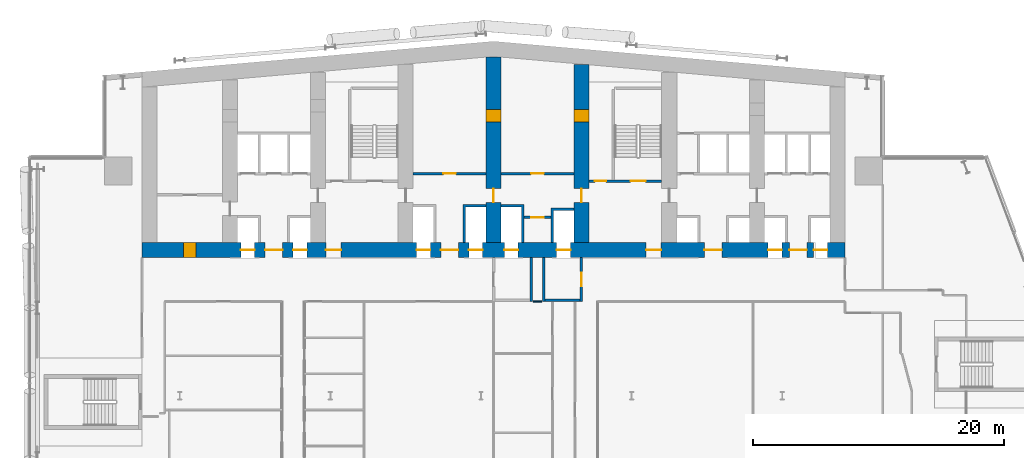
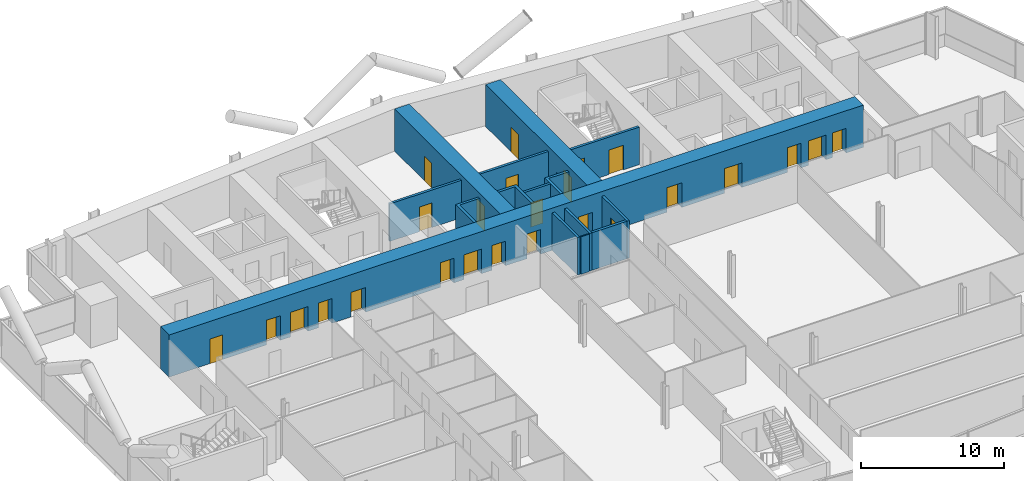
# One storey, part 16 of 27: 25 doors, 15 walls, 25 openings.
"""IFC4 building model written with IfcOpenShell, lengths in metres."""

from ifc_helpers import new_model, si_unit, direction, frame, frame_2d, origin, place, context, subcontext, project, spatial, polyline, rectangle, outline, extrude, material, layer, layer_set, type_object, element, fill, save


model = new_model("IFC4")

# Units and contexts
model_context = context("Model", 3, precision=1e-05, world=origin(), true_north=direction((0.0, 1.0)))
body_context = subcontext(model_context, "Body", "Model", "MODEL_VIEW")
ifc_project = project(units=[si_unit("LENGTHUNIT", "METRE"), si_unit("AREAUNIT", "SQUARE_METRE"), si_unit("VOLUMEUNIT", "CUBIC_METRE"), si_unit("PLANEANGLEUNIT", "RADIAN"), si_unit("MASSUNIT", "GRAM", prefix="KILO")], contexts=[model_context])

# Site, building, storey
site_placement = place(None, origin())
site = spatial("IfcSite", under=ifc_project, at=site_placement, CompositionType="ELEMENT")
building_placement = place(site_placement, origin())
building = spatial("IfcBuilding", under=site, at=building_placement, Name="Wharfspan Tower", CompositionType="ELEMENT")
storey_placement = place(building_placement, frame((0.0, 0.0, 77.5)))
storey = spatial("IfcBuildingStorey", under=building, at=storey_placement, Name="L16", CompositionType="ELEMENT", Elevation=77.5)

# Wall
ifc_material_1 = material(Name="Gypsum board on steel studs", Category="steel")
ifc_layer_1 = layer(ifc_material_1, 0.100098)
ifc_layer_set_1 = layer_set([ifc_layer_1], Name="Gypsum board on steel studs")
wall_type_1 = type_object("IfcWallType", Name="Compartment wall 100 EI 60", PredefinedType="PARTITIONING", material=ifc_layer_set_1)
wall_1_placement = place(storey_placement, frame((40.149902, 30.5, 0.0), z_axis=(0.0, 0.0, 1.0), x_axis=(1.0, 0.0, 0.0)))
element("IfcWall", 1, at=wall_1_placement, inside=storey, type_object=wall_type_1, Name="Partition L16.w026 (2)", PredefinedType="PARTITIONING", context=body_context, shape_type="SweptSolid", body=[
    extrude(rectangle(XDim=0.700195, YDim=0.100098, at=frame_2d((0.350098, 0.0))), origin(), (0.0, 0.0, 1.0), 3.199951),
])

# Wall, opening, door
ifc_material_2 = material(Name="Calcium silicate masonry", Category="masonry")
ifc_layer_2 = layer(ifc_material_2, 0.199951)
ifc_layer_set_2 = layer_set([ifc_layer_2], Name="Calcium silicate masonry")
wall_type_2 = type_object("IfcWallType", Name="Core room wall 200", PredefinedType="PARTITIONING", material=ifc_layer_set_2)
wall_2_placement = place(storey_placement, frame((39.43335, 37.199951, 0.0), z_axis=(0.0, 0.0, 1.0), x_axis=(1.0, 0.0, 0.0)))
wall_2 = element("IfcWall", 2, at=wall_2_placement, inside=storey, type_object=wall_type_2, Name="sw:L16:FR4.2", PredefinedType="PARTITIONING", context=body_context, shape_type="SweptSolid", body=[
    extrude(rectangle(XDim=2.133301, YDim=0.199951, at=frame_2d((1.06665, 0.0))), origin(), (0.0, 0.0, 1.0), 3.199951),
])
opening_1_placement = place(wall_2_placement, frame((0.56665, 0.0, 0.0)))
opening_1 = element("IfcOpeningElement", 3, at=opening_1_placement, cuts=wall_2, Name="Opening CD16.4H2", PredefinedType="OPENING", context=body_context, shape_type="SweptSolid", body=[
    extrude(rectangle(XDim=1.0, YDim=2.100098, at=frame_2d((0.5, 1.050049))), frame((0.0, 0.109863, 0.0), z_axis=(0.0, -1.0, 0.0), x_axis=(1.0, 0.0, 0.0)), (0.0, 0.0, 1.0), 0.219971),
])
ifc_material_3 = material(Name="Steel door leaf", Category="steel")
door_type_1 = type_object("IfcDoorType", Name="Core room door 1000x2100", OperationType="SINGLE_SWING_LEFT", PredefinedType="DOOR", material=ifc_material_3)
door_1_placement = place(opening_1_placement, origin())
door_1 = element("IfcDoor", 4, at=door_1_placement, inside=storey, type_object=door_type_1, Name="d:L16:4:fh4.2", OperationType="SINGLE_SWING_RIGHT", OverallHeight=2.100098, OverallWidth=1.0, PredefinedType="DOOR", context=body_context, shape_type="SweptSolid", body=[
    extrude(rectangle(XDim=1.0, YDim=2.100098, at=frame_2d((0.5, 1.050049))), frame((0.0, 0.024902, 0.0), z_axis=(0.0, -1.0, 0.0), x_axis=(1.0, 0.0, 0.0)), (0.0, 0.0, 1.0), 0.050049),
])
fill(opening_1, door_1)

# Wall, openings, doors
ifc_material_4 = material(Name="Concrete C70/85", Category="concrete")
ifc_layer_3 = layer(ifc_material_4, 1.199951)
ifc_layer_set_3 = layer_set([ifc_layer_3], Name="Concrete C70/85")
wall_type_3 = type_object("IfcWallType", Name="Core wall 1200 C70/85", PredefinedType="SHEAR", material=ifc_layer_set_3)
wall_3_placement = place(storey_placement, frame((9.0, 34.600098, 0.0), z_axis=(0.0, 0.0, 1.0), x_axis=(1.0, 0.0, 0.0)))
wall_3 = element("IfcWall", 5, at=wall_3_placement, inside=storey, type_object=wall_type_3, Name="Core front wall L16", PredefinedType="SHEAR", context=body_context, shape_type="SweptSolid", body=[
    extrude(rectangle(XDim=56.0, YDim=1.199951, at=frame_2d((28.0, 0.0))), origin(), (0.0, 0.0, 1.0), 3.600098),
])
opening_2_placement = place(wall_3_placement, frame((3.300049, 0.0, 0.0)))
opening_2 = element("IfcOpeningElement", 6, at=opening_2_placement, cuts=wall_3, Name="Opening CD16.01", PredefinedType="OPENING", context=body_context, shape_type="SweptSolid", body=[
    extrude(rectangle(XDim=1.0, YDim=2.100098, at=frame_2d((0.5, 1.050049))), frame((0.0, 0.609863, 0.0), z_axis=(0.0, -1.0, 0.0), x_axis=(1.0, 0.0, 0.0)), (0.0, 0.0, 1.0), 1.219971),
])
opening_3_placement = place(wall_3_placement, frame((7.866699, 0.0, 0.0)))
opening_3 = element("IfcOpeningElement", 7, at=opening_3_placement, cuts=wall_3, Name="Opening LD.LA1.L16", PredefinedType="OPENING", context=body_context, shape_type="SweptSolid", body=[
    extrude(rectangle(XDim=1.100098, YDim=2.100098, at=frame_2d((0.550049, 1.050049))), frame((0.0, 0.609863, 0.0), z_axis=(0.0, -1.0, 0.0), x_axis=(1.0, 0.0, 0.0)), (0.0, 0.0, 1.0), 1.219971),
])
opening_4_placement = place(wall_3_placement, frame((12.033203, 0.0, 0.0)))
opening_4 = element("IfcOpeningElement", 8, at=opening_4_placement, cuts=wall_3, Name="Opening LD.LA2.L16", PredefinedType="OPENING", context=body_context, shape_type="SweptSolid", body=[
    extrude(rectangle(XDim=1.100098, YDim=2.100098, at=frame_2d((0.550049, 1.050049))), frame((0.0, 0.609863, 0.0), z_axis=(0.0, -1.0, 0.0), x_axis=(1.0, 0.0, 0.0)), (0.0, 0.0, 1.0), 1.219971),
])
opening_5_placement = place(wall_3_placement, frame((9.800049, 0.0, 0.0)))
opening_5 = element("IfcOpeningElement", 9, at=opening_5_placement, cuts=wall_3, Name="Opening HD16.1", PredefinedType="OPENING", context=body_context, shape_type="SweptSolid", body=[
    extrude(rectangle(XDim=1.399902, YDim=2.100098, at=frame_2d((0.699951, 1.050049))), frame((0.0, 0.609863, 0.0), z_axis=(0.0, -1.0, 0.0), x_axis=(1.0, 0.0, 0.0)), (0.0, 0.0, 1.0), 1.219971),
])
opening_6_placement = place(wall_3_placement, frame((14.649902, 0.0, 0.0)))
opening_6 = element("IfcOpeningElement", 10, at=opening_6_placement, cuts=wall_3, Name="Opening SV2.L16", PredefinedType="OPENING", context=body_context, shape_type="SweptSolid", body=[
    extrude(rectangle(XDim=1.199951, YDim=2.100098, at=frame_2d((0.600098, 1.050049))), frame((0.0, 0.609863, 0.0), z_axis=(0.0, -1.0, 0.0), x_axis=(1.0, 0.0, 0.0)), (0.0, 0.0, 1.0), 1.219971),
])
opening_7_placement = place(wall_3_placement, frame((21.866699, 0.0, 0.0)))
opening_7 = element("IfcOpeningElement", 11, at=opening_7_placement, cuts=wall_3, Name="Opening LD.SL1.L16", PredefinedType="OPENING", context=body_context, shape_type="SweptSolid", body=[
    extrude(rectangle(XDim=1.100098, YDim=2.100098, at=frame_2d((0.550049, 1.050049))), frame((0.0, 0.609863, 0.0), z_axis=(0.0, -1.0, 0.0), x_axis=(1.0, 0.0, 0.0)), (0.0, 0.0, 1.0), 1.219971),
])
opening_8_placement = place(wall_3_placement, frame((26.033203, 0.0, 0.0)))
opening_8 = element("IfcOpeningElement", 12, at=opening_8_placement, cuts=wall_3, Name="Opening LD.SL2.L16", PredefinedType="OPENING", context=body_context, shape_type="SweptSolid", body=[
    extrude(rectangle(XDim=1.100098, YDim=2.100098, at=frame_2d((0.550049, 1.050049))), frame((0.0, 0.609863, 0.0), z_axis=(0.0, -1.0, 0.0), x_axis=(1.0, 0.0, 0.0)), (0.0, 0.0, 1.0), 1.219971),
])
opening_9_placement = place(wall_3_placement, frame((23.800049, 0.0, 0.0)))
opening_9 = element("IfcOpeningElement", 13, at=opening_9_placement, cuts=wall_3, Name="Opening HD16.3", PredefinedType="OPENING", context=body_context, shape_type="SweptSolid", body=[
    extrude(rectangle(XDim=1.399902, YDim=2.100098, at=frame_2d((0.699951, 1.050049))), frame((0.0, 0.609863, 0.0), z_axis=(0.0, -1.0, 0.0), x_axis=(1.0, 0.0, 0.0)), (0.0, 0.0, 1.0), 1.219971),
])
opening_10_placement = place(wall_3_placement, frame((28.866699, 0.0, 0.0)))
opening_10 = element("IfcOpeningElement", 14, at=opening_10_placement, cuts=wall_3, Name="Opening LD.FF1.L16", PredefinedType="OPENING", context=body_context, shape_type="SweptSolid", body=[
    extrude(rectangle(XDim=1.100098, YDim=2.100098, at=frame_2d((0.550049, 1.050049))), frame((0.0, 0.609863, 0.0), z_axis=(0.0, -1.0, 0.0), x_axis=(1.0, 0.0, 0.0)), (0.0, 0.0, 1.0), 1.219971),
])
opening_11_placement = place(wall_3_placement, frame((33.033203, 0.0, 0.0)))
opening_11 = element("IfcOpeningElement", 15, at=opening_11_placement, cuts=wall_3, Name="Opening LD.FF2.L16", PredefinedType="OPENING", context=body_context, shape_type="SweptSolid", body=[
    extrude(rectangle(XDim=1.100098, YDim=2.100098, at=frame_2d((0.550049, 1.050049))), frame((0.0, 0.609863, 0.0), z_axis=(0.0, -1.0, 0.0), x_axis=(1.0, 0.0, 0.0)), (0.0, 0.0, 1.0), 1.219971),
])
opening_12_placement = place(wall_3_placement, frame((40.149902, 0.0, 0.0)))
opening_12 = element("IfcOpeningElement", 16, at=opening_12_placement, cuts=wall_3, Name="Opening SV5.L16", PredefinedType="OPENING", context=body_context, shape_type="SweptSolid", body=[
    extrude(rectangle(XDim=1.199951, YDim=2.100098, at=frame_2d((0.600098, 1.050049))), frame((0.0, 0.609863, 0.0), z_axis=(0.0, -1.0, 0.0), x_axis=(1.0, 0.0, 0.0)), (0.0, 0.0, 1.0), 1.219971),
])
opening_13_placement = place(wall_3_placement, frame((44.800049, 0.0, 0.0)))
opening_13 = element("IfcOpeningElement", 17, at=opening_13_placement, cuts=wall_3, Name="Opening HD16.6", PredefinedType="OPENING", context=body_context, shape_type="SweptSolid", body=[
    extrude(rectangle(XDim=1.399902, YDim=2.100098, at=frame_2d((0.699951, 1.050049))), frame((0.0, 0.609863, 0.0), z_axis=(0.0, -1.0, 0.0), x_axis=(1.0, 0.0, 0.0)), (0.0, 0.0, 1.0), 1.219971),
])
opening_14_placement = place(wall_3_placement, frame((49.866699, 0.0, 0.0)))
opening_14 = element("IfcOpeningElement", 18, at=opening_14_placement, cuts=wall_3, Name="Opening LD.LA6.L16", PredefinedType="OPENING", context=body_context, shape_type="SweptSolid", body=[
    extrude(rectangle(XDim=1.100098, YDim=2.100098, at=frame_2d((0.550049, 1.050049))), frame((0.0, 0.609863, 0.0), z_axis=(0.0, -1.0, 0.0), x_axis=(1.0, 0.0, 0.0)), (0.0, 0.0, 1.0), 1.219971),
])
opening_15_placement = place(wall_3_placement, frame((53.5, 0.0, 0.0)))
opening_15 = element("IfcOpeningElement", 19, at=opening_15_placement, cuts=wall_3, Name="Opening LD.LA7.L16", PredefinedType="OPENING", context=body_context, shape_type="SweptSolid", body=[
    extrude(rectangle(XDim=1.100098, YDim=2.100098, at=frame_2d((0.550049, 1.050049))), frame((0.0, 0.609863, 0.0), z_axis=(0.0, -1.0, 0.0), x_axis=(1.0, 0.0, 0.0)), (0.0, 0.0, 1.0), 1.219971),
])
opening_16_placement = place(wall_3_placement, frame((51.56665, 0.0, 0.0)))
opening_16 = element("IfcOpeningElement", 20, at=opening_16_placement, cuts=wall_3, Name="Opening HD16.7", PredefinedType="OPENING", context=body_context, shape_type="SweptSolid", body=[
    extrude(rectangle(XDim=1.399902, YDim=2.100098, at=frame_2d((0.699951, 1.050049))), frame((0.0, 0.609863, 0.0), z_axis=(0.0, -1.0, 0.0), x_axis=(1.0, 0.0, 0.0)), (0.0, 0.0, 1.0), 1.219971),
])
door_2_placement = place(opening_2_placement, origin())
door_2 = element("IfcDoor", 21, at=door_2_placement, inside=storey, type_object=door_type_1, Name="d:L16:0:rf", OperationType="SINGLE_SWING_LEFT", OverallHeight=2.100098, OverallWidth=1.0, PredefinedType="DOOR", context=body_context, shape_type="SweptSolid", body=[
    extrude(rectangle(XDim=1.0, YDim=2.100098, at=frame_2d((0.5, 1.050049))), frame((0.0, 0.599609, 0.0), z_axis=(0.0, -1.0, 0.0), x_axis=(1.0, 0.0, 0.0)), (0.0, 0.0, 1.0), 1.199463),
])
fill(opening_2, door_2)
door_type_2 = type_object("IfcDoorType", Name="Hall entry door 1400x2100", OperationType="DOUBLE_DOOR_SINGLE_SWING", PredefinedType="DOOR", material=ifc_material_3)
door_3_placement = place(opening_5_placement, origin())
door_3 = element("IfcDoor", 22, at=door_3_placement, inside=storey, type_object=door_type_2, Name="d:L16:1:hd1", OperationType="DOUBLE_DOOR_SINGLE_SWING", OverallHeight=2.100098, OverallWidth=1.399902, PredefinedType="DOOR", context=body_context, shape_type="SweptSolid", body=[
    extrude(rectangle(XDim=1.399902, YDim=2.100098, at=frame_2d((0.699951, 1.050049))), frame((0.0, 0.024902, 0.0), z_axis=(0.0, -1.0, 0.0), x_axis=(1.0, 0.0, 0.0)), (0.0, 0.0, 1.0), 0.050049),
])
fill(opening_5, door_3)
door_4_placement = place(opening_9_placement, origin())
door_4 = element("IfcDoor", 23, at=door_4_placement, inside=storey, type_object=door_type_2, Name="d:L16:3:hd3", OperationType="DOUBLE_DOOR_SINGLE_SWING", OverallHeight=2.100098, OverallWidth=1.399902, PredefinedType="DOOR", context=body_context, shape_type="SweptSolid", body=[
    extrude(rectangle(XDim=1.399902, YDim=2.100098, at=frame_2d((0.699951, 1.050049))), frame((0.0, 0.024902, 0.0), z_axis=(0.0, -1.0, 0.0), x_axis=(1.0, 0.0, 0.0)), (0.0, 0.0, 1.0), 0.050049),
])
fill(opening_9, door_4)
door_5_placement = place(opening_13_placement, origin())
door_5 = element("IfcDoor", 24, at=door_5_placement, inside=storey, type_object=door_type_2, Name="d:L16:6:hd6", OperationType="DOUBLE_DOOR_SINGLE_SWING", OverallHeight=2.100098, OverallWidth=1.399902, PredefinedType="DOOR", context=body_context, shape_type="SweptSolid", body=[
    extrude(rectangle(XDim=1.399902, YDim=2.100098, at=frame_2d((0.699951, 1.050049))), frame((0.0, 0.024902, 0.0), z_axis=(0.0, -1.0, 0.0), x_axis=(1.0, 0.0, 0.0)), (0.0, 0.0, 1.0), 0.050049),
])
fill(opening_13, door_5)
door_6_placement = place(opening_16_placement, origin())
door_6 = element("IfcDoor", 25, at=door_6_placement, inside=storey, type_object=door_type_2, Name="d:L16:7:hd7", OperationType="DOUBLE_DOOR_SINGLE_SWING", OverallHeight=2.100098, OverallWidth=1.399902, PredefinedType="DOOR", context=body_context, shape_type="SweptSolid", body=[
    extrude(rectangle(XDim=1.399902, YDim=2.100098, at=frame_2d((0.699951, 1.050049))), frame((0.0, 0.024902, 0.0), z_axis=(0.0, -1.0, 0.0), x_axis=(1.0, 0.0, 0.0)), (0.0, 0.0, 1.0), 0.050049),
])
fill(opening_16, door_6)
ifc_material_5 = material(Name="Stainless steel", Category="steel")
door_type_3 = type_object("IfcDoorType", Name="Lift landing door 1100x2100", OperationType="DOUBLE_DOOR_SLIDING", PredefinedType="DOOR", material=ifc_material_5)
door_7_placement = place(opening_3_placement, origin())
door_7 = element("IfcDoor", 26, at=door_7_placement, inside=storey, type_object=door_type_3, Name="Landing door LA1 L16", OperationType="DOUBLE_DOOR_SLIDING", OverallHeight=2.100098, OverallWidth=1.100098, PredefinedType="DOOR", context=body_context, shape_type="SweptSolid", body=[
    extrude(rectangle(XDim=1.100098, YDim=2.100098, at=frame_2d((0.550049, 1.050049))), frame((0.0, 0.024902, 0.0), z_axis=(0.0, -1.0, 0.0), x_axis=(1.0, 0.0, 0.0)), (0.0, 0.0, 1.0), 0.050049),
])
fill(opening_3, door_7)
door_8_placement = place(opening_4_placement, origin())
door_8 = element("IfcDoor", 27, at=door_8_placement, inside=storey, type_object=door_type_3, Name="Landing door LA2 L16", OperationType="DOUBLE_DOOR_SLIDING", OverallHeight=2.100098, OverallWidth=1.100098, PredefinedType="DOOR", context=body_context, shape_type="SweptSolid", body=[
    extrude(rectangle(XDim=1.100098, YDim=2.100098, at=frame_2d((0.550049, 1.050049))), frame((0.0, 0.024902, 0.0), z_axis=(0.0, -1.0, 0.0), x_axis=(1.0, 0.0, 0.0)), (0.0, 0.0, 1.0), 0.050049),
])
fill(opening_4, door_8)
door_9_placement = place(opening_7_placement, origin())
door_9 = element("IfcDoor", 28, at=door_9_placement, inside=storey, type_object=door_type_3, Name="Landing door SL1 L16", OperationType="DOUBLE_DOOR_SLIDING", OverallHeight=2.100098, OverallWidth=1.100098, PredefinedType="DOOR", context=body_context, shape_type="SweptSolid", body=[
    extrude(rectangle(XDim=1.100098, YDim=2.100098, at=frame_2d((0.550049, 1.050049))), frame((0.0, 0.024902, 0.0), z_axis=(0.0, -1.0, 0.0), x_axis=(1.0, 0.0, 0.0)), (0.0, 0.0, 1.0), 0.050049),
])
fill(opening_7, door_9)
door_10_placement = place(opening_8_placement, origin())
door_10 = element("IfcDoor", 29, at=door_10_placement, inside=storey, type_object=door_type_3, Name="Landing door SL2 L16", OperationType="DOUBLE_DOOR_SLIDING", OverallHeight=2.100098, OverallWidth=1.100098, PredefinedType="DOOR", context=body_context, shape_type="SweptSolid", body=[
    extrude(rectangle(XDim=1.100098, YDim=2.100098, at=frame_2d((0.550049, 1.050049))), frame((0.0, 0.024902, 0.0), z_axis=(0.0, -1.0, 0.0), x_axis=(1.0, 0.0, 0.0)), (0.0, 0.0, 1.0), 0.050049),
])
fill(opening_8, door_10)
door_11_placement = place(opening_10_placement, origin())
door_11 = element("IfcDoor", 30, at=door_11_placement, inside=storey, type_object=door_type_3, Name="Landing door FF1 L16", OperationType="DOUBLE_DOOR_SLIDING", OverallHeight=2.100098, OverallWidth=1.100098, PredefinedType="DOOR", context=body_context, shape_type="SweptSolid", body=[
    extrude(rectangle(XDim=1.100098, YDim=2.100098, at=frame_2d((0.550049, 1.050049))), frame((0.0, 0.024902, 0.0), z_axis=(0.0, -1.0, 0.0), x_axis=(1.0, 0.0, 0.0)), (0.0, 0.0, 1.0), 0.050049),
])
fill(opening_10, door_11)
door_12_placement = place(opening_11_placement, origin())
door_12 = element("IfcDoor", 31, at=door_12_placement, inside=storey, type_object=door_type_3, Name="Landing door FF2 L16", OperationType="DOUBLE_DOOR_SLIDING", OverallHeight=2.100098, OverallWidth=1.100098, PredefinedType="DOOR", context=body_context, shape_type="SweptSolid", body=[
    extrude(rectangle(XDim=1.100098, YDim=2.100098, at=frame_2d((0.550049, 1.050049))), frame((0.0, 0.024902, 0.0), z_axis=(0.0, -1.0, 0.0), x_axis=(1.0, 0.0, 0.0)), (0.0, 0.0, 1.0), 0.050049),
])
fill(opening_11, door_12)
door_13_placement = place(opening_14_placement, origin())
door_13 = element("IfcDoor", 32, at=door_13_placement, inside=storey, type_object=door_type_3, Name="Landing door LA6 L16", OperationType="DOUBLE_DOOR_SLIDING", OverallHeight=2.100098, OverallWidth=1.100098, PredefinedType="DOOR", context=body_context, shape_type="SweptSolid", body=[
    extrude(rectangle(XDim=1.100098, YDim=2.100098, at=frame_2d((0.550049, 1.050049))), frame((0.0, 0.024902, 0.0), z_axis=(0.0, -1.0, 0.0), x_axis=(1.0, 0.0, 0.0)), (0.0, 0.0, 1.0), 0.050049),
])
fill(opening_14, door_13)
door_14_placement = place(opening_15_placement, origin())
door_14 = element("IfcDoor", 33, at=door_14_placement, inside=storey, type_object=door_type_3, Name="Landing door LA7 L16", OperationType="DOUBLE_DOOR_SLIDING", OverallHeight=2.100098, OverallWidth=1.100098, PredefinedType="DOOR", context=body_context, shape_type="SweptSolid", body=[
    extrude(rectangle(XDim=1.100098, YDim=2.100098, at=frame_2d((0.550049, 1.050049))), frame((0.0, 0.024902, 0.0), z_axis=(0.0, -1.0, 0.0), x_axis=(1.0, 0.0, 0.0)), (0.0, 0.0, 1.0), 0.050049),
])
fill(opening_15, door_14)
door_type_4 = type_object("IfcDoorType", Name="Stair door 1200x2100", OperationType="SINGLE_SWING_LEFT", PredefinedType="DOOR", material=ifc_material_3)
door_15_placement = place(opening_6_placement, origin())
door_15 = element("IfcDoor", 34, at=door_15_placement, inside=storey, type_object=door_type_4, Name="vd:L16:2", OperationType="SINGLE_SWING_LEFT", OverallHeight=2.100098, OverallWidth=1.199951, PredefinedType="DOOR", context=body_context, shape_type="SweptSolid", body=[
    extrude(rectangle(XDim=1.199951, YDim=2.100098, at=frame_2d((0.600098, 1.050049))), frame((0.0, 0.024902, 0.0), z_axis=(0.0, -1.0, 0.0), x_axis=(1.0, 0.0, 0.0)), (0.0, 0.0, 1.0), 0.050049),
])
fill(opening_6, door_15)
door_16_placement = place(opening_12_placement, origin())
door_16 = element("IfcDoor", 35, at=door_16_placement, inside=storey, type_object=door_type_4, Name="vd:L16:5", OperationType="SINGLE_SWING_LEFT", OverallHeight=2.100098, OverallWidth=1.199951, PredefinedType="DOOR", context=body_context, shape_type="SweptSolid", body=[
    extrude(rectangle(XDim=1.199951, YDim=2.100098, at=frame_2d((0.600098, 1.050049))), frame((0.0, 0.024902, 0.0), z_axis=(0.0, -1.0, 0.0), x_axis=(1.0, 0.0, 0.0)), (0.0, 0.0, 1.0), 0.050049),
])
fill(opening_12, door_16)

wall_4_placement = place(storey_placement, frame((37.0, 35.199951, 0.0), z_axis=(0.0, 0.0, 1.0), x_axis=(0.0, 1.0, 0.0)))
wall_4 = element("IfcWall", 36, at=wall_4_placement, inside=storey, type_object=wall_type_3, Name="Core cross wall X4 L16", PredefinedType="SHEAR", context=body_context, shape_type="SweptSolid", body=[
    extrude(rectangle(XDim=14.780029, YDim=1.199951, at=frame_2d((7.390137, 0.0))), origin(), (0.0, 0.0, 1.0), 3.600098),
])
opening_17_placement = place(wall_4_placement, frame((3.199951, 0.0, 0.0)))
opening_17 = element("IfcOpeningElement", 37, at=opening_17_placement, cuts=wall_4, Name="Opening CC16.4", PredefinedType="OPENING", context=body_context, shape_type="SweptSolid", body=[
    extrude(rectangle(XDim=1.100098, YDim=2.100098, at=frame_2d((0.550049, 1.050049))), frame((0.0, 0.609863, 0.0), z_axis=(0.0, -1.0, 0.0), x_axis=(1.0, 0.0, 0.0)), (0.0, 0.0, 1.0), 1.219971),
])
opening_18_placement = place(wall_4_placement, frame((9.600098, 0.0, 0.0)))
opening_18 = element("IfcOpeningElement", 38, at=opening_18_placement, cuts=wall_4, Name="Opening CR16.4", PredefinedType="OPENING", context=body_context, shape_type="SweptSolid", body=[
    extrude(rectangle(XDim=1.0, YDim=2.100098, at=frame_2d((0.5, 1.050049))), frame((0.0, 0.609863, 0.0), z_axis=(0.0, -1.0, 0.0), x_axis=(1.0, 0.0, 0.0)), (0.0, 0.0, 1.0), 1.219971),
])
door_type_5 = type_object("IfcDoorType", Name="Core corridor door 1100x2100", OperationType="SINGLE_SWING_LEFT", PredefinedType="DOOR", material=ifc_material_3)
door_17_placement = place(opening_17_placement, origin())
door_17 = element("IfcDoor", 39, at=door_17_placement, inside=storey, type_object=door_type_5, Name="xd:L16:4", OperationType="SINGLE_SWING_RIGHT", OverallHeight=2.100098, OverallWidth=1.100098, PredefinedType="DOOR", context=body_context, shape_type="SweptSolid", body=[
    extrude(rectangle(XDim=1.100098, YDim=2.100098, at=frame_2d((0.550049, 1.050049))), frame((0.0, 0.024902, 0.0), z_axis=(0.0, -1.0, 0.0), x_axis=(1.0, 0.0, 0.0)), (0.0, 0.0, 1.0), 0.050049),
])
fill(opening_17, door_17)
door_18_placement = place(opening_18_placement, origin())
door_18 = element("IfcDoor", 40, at=door_18_placement, inside=storey, type_object=door_type_1, Name="xr:L16:4", OperationType="SINGLE_SWING_RIGHT", OverallHeight=2.100098, OverallWidth=1.0, PredefinedType="DOOR", context=body_context, shape_type="SweptSolid", body=[
    extrude(rectangle(XDim=1.0, YDim=2.100098, at=frame_2d((0.5, 1.050049))), frame((0.0, 0.599609, 0.0), z_axis=(0.0, -1.0, 0.0), x_axis=(1.0, 0.0, 0.0)), (0.0, 0.0, 1.0), 1.199463),
])
fill(opening_18, door_18)

wall_5_placement = place(storey_placement, frame((44.0, 35.199951, 0.0), z_axis=(0.0, 0.0, 1.0), x_axis=(0.0, 1.0, 0.0)))
wall_5 = element("IfcWall", 41, at=wall_5_placement, inside=storey, type_object=wall_type_3, Name="Core cross wall X5 L16", PredefinedType="SHEAR", context=body_context, shape_type="SweptSolid", body=[
    extrude(rectangle(XDim=14.167725, YDim=1.199951, at=frame_2d((7.083984, 0.0))), origin(), (0.0, 0.0, 1.0), 3.600098),
])
opening_19_placement = place(wall_5_placement, frame((3.199951, 0.0, 0.0)))
opening_19 = element("IfcOpeningElement", 42, at=opening_19_placement, cuts=wall_5, Name="Opening CC16.5", PredefinedType="OPENING", context=body_context, shape_type="SweptSolid", body=[
    extrude(rectangle(XDim=1.100098, YDim=2.100098, at=frame_2d((0.550049, 1.050049))), frame((0.0, 0.609863, 0.0), z_axis=(0.0, -1.0, 0.0), x_axis=(1.0, 0.0, 0.0)), (0.0, 0.0, 1.0), 1.219971),
])
opening_20_placement = place(wall_5_placement, frame((9.600098, 0.0, 0.0)))
opening_20 = element("IfcOpeningElement", 43, at=opening_20_placement, cuts=wall_5, Name="Opening CR16.5", PredefinedType="OPENING", context=body_context, shape_type="SweptSolid", body=[
    extrude(rectangle(XDim=1.0, YDim=2.100098, at=frame_2d((0.5, 1.050049))), frame((0.0, 0.609863, 0.0), z_axis=(0.0, -1.0, 0.0), x_axis=(1.0, 0.0, 0.0)), (0.0, 0.0, 1.0), 1.219971),
])
door_19_placement = place(opening_19_placement, origin())
door_19 = element("IfcDoor", 44, at=door_19_placement, inside=storey, type_object=door_type_5, Name="xd:L16:5", OperationType="SINGLE_SWING_LEFT", OverallHeight=2.100098, OverallWidth=1.100098, PredefinedType="DOOR", context=body_context, shape_type="SweptSolid", body=[
    extrude(rectangle(XDim=1.100098, YDim=2.100098, at=frame_2d((0.550049, 1.050049))), frame((0.0, 0.024902, 0.0), z_axis=(0.0, -1.0, 0.0), x_axis=(1.0, 0.0, 0.0)), (0.0, 0.0, 1.0), 0.050049),
])
fill(opening_19, door_19)
door_20_placement = place(opening_20_placement, origin())
door_20 = element("IfcDoor", 45, at=door_20_placement, inside=storey, type_object=door_type_1, Name="xr:L16:5", OperationType="SINGLE_SWING_RIGHT", OverallHeight=2.100098, OverallWidth=1.0, PredefinedType="DOOR", context=body_context, shape_type="SweptSolid", body=[
    extrude(rectangle(XDim=1.0, YDim=2.100098, at=frame_2d((0.5, 1.050049))), frame((0.0, 0.599609, 0.0), z_axis=(0.0, -1.0, 0.0), x_axis=(1.0, 0.0, 0.0)), (0.0, 0.0, 1.0), 1.199463),
])
fill(opening_20, door_20)

# Wall, opening, door
ifc_material_6 = material(Name="Concrete C30/37", Category="concrete")
ifc_layer_4 = layer(ifc_material_6, 0.199951)
ifc_layer_set_4 = layer_set([ifc_layer_4], Name="Concrete C30/37")
wall_type_4 = type_object("IfcWallType", Name="Lift shaft wall 200", PredefinedType="PARTITIONING", material=ifc_layer_set_4)
wall_6_placement = place(storey_placement, frame((30.600098, 40.699951, 0.0), z_axis=(0.0, 0.0, 1.0), x_axis=(1.0, 0.0, 0.0)))
wall_6 = element("IfcWall", 46, at=wall_6_placement, inside=storey, type_object=wall_type_4, Name="sw:L16:RF3", PredefinedType="PARTITIONING", context=body_context, shape_type="SweptSolid", body=[
    extrude(rectangle(XDim=5.799805, YDim=0.199951, at=frame_2d((2.899902, 0.0))), origin(), (0.0, 0.0, 1.0), 3.199951),
])
opening_21_placement = place(wall_6_placement, frame((2.399902, 0.0, 0.0)))
opening_21 = element("IfcOpeningElement", 47, at=opening_21_placement, cuts=wall_6, Name="Opening CD16.3S", PredefinedType="OPENING", context=body_context, shape_type="SweptSolid", body=[
    extrude(rectangle(XDim=1.0, YDim=2.100098, at=frame_2d((0.5, 1.050049))), frame((0.0, 0.109863, 0.0), z_axis=(0.0, -1.0, 0.0), x_axis=(1.0, 0.0, 0.0)), (0.0, 0.0, 1.0), 0.219971),
])
door_21_placement = place(opening_21_placement, origin())
door_21 = element("IfcDoor", 48, at=door_21_placement, inside=storey, type_object=door_type_1, Name="d:L16:3:sf", OperationType="SINGLE_SWING_LEFT", OverallHeight=2.100098, OverallWidth=1.0, PredefinedType="DOOR", context=body_context, shape_type="SweptSolid", body=[
    extrude(rectangle(XDim=1.0, YDim=2.100098, at=frame_2d((0.5, 1.050049))), frame((0.0, 0.024902, 0.0), z_axis=(0.0, -1.0, 0.0), x_axis=(1.0, 0.0, 0.0)), (0.0, 0.0, 1.0), 0.050049),
])
fill(opening_21, door_21)

# Wall
wall_7_placement = place(storey_placement, frame((0.0, 0.0, -0.000244)))
element("IfcWall", 49, at=wall_7_placement, inside=storey, type_object=wall_type_4, Name="sw:L16:FM3.1", PredefinedType="PARTITIONING", context=body_context, shape_type="SweptSolid", body=[
    extrude(outline(polyline([(34.56665, 38.25), (34.766602, 38.25), (36.399902, 38.25), (36.399902, 38.050049), (34.766602, 38.050049), (34.766602, 35.199951), (34.56665, 35.199951), (34.56665, 38.25)])), origin(), (0.0, 0.0, 1.0), 3.200195),
])

# Wall, opening, door
wall_8_placement = place(storey_placement, frame((37.600098, 40.699951, 0.0), z_axis=(0.0, 0.0, 1.0), x_axis=(1.0, 0.0, 0.0)))
wall_8 = element("IfcWall", 50, at=wall_8_placement, inside=storey, type_object=wall_type_4, Name="sw:L16:RF4", PredefinedType="PARTITIONING", context=body_context, shape_type="SweptSolid", body=[
    extrude(rectangle(XDim=5.799805, YDim=0.199951, at=frame_2d((2.899902, 0.0))), origin(), (0.0, 0.0, 1.0), 3.199951),
])
opening_22_placement = place(wall_8_placement, frame((2.399902, 0.0, 0.0)))
opening_22 = element("IfcOpeningElement", 51, at=opening_22_placement, cuts=wall_8, Name="Opening CD16.4S", PredefinedType="OPENING", context=body_context, shape_type="SweptSolid", body=[
    extrude(rectangle(XDim=1.0, YDim=2.100098, at=frame_2d((0.5, 1.050049))), frame((0.0, 0.109863, 0.0), z_axis=(0.0, -1.0, 0.0), x_axis=(1.0, 0.0, 0.0)), (0.0, 0.0, 1.0), 0.219971),
])
door_22_placement = place(opening_22_placement, origin())
door_22 = element("IfcDoor", 52, at=door_22_placement, inside=storey, type_object=door_type_1, Name="d:L16:4:sf", OperationType="SINGLE_SWING_LEFT", OverallHeight=2.100098, OverallWidth=1.0, PredefinedType="DOOR", context=body_context, shape_type="SweptSolid", body=[
    extrude(rectangle(XDim=1.0, YDim=2.100098, at=frame_2d((0.5, 1.050049))), frame((0.0, 0.024902, 0.0), z_axis=(0.0, -1.0, 0.0), x_axis=(1.0, 0.0, 0.0)), (0.0, 0.0, 1.0), 0.050049),
])
fill(opening_22, door_22)

# Walls
wall_9_placement = place(storey_placement, frame((0.0, 0.0, -0.000244)))
element("IfcWall", 53, at=wall_9_placement, inside=storey, type_object=wall_type_4, Name="sw:L16:FM4.0", PredefinedType="PARTITIONING", context=body_context, shape_type="SweptSolid", body=[
    extrude(outline(polyline([(41.56665, 37.949951), (41.766602, 37.949951), (43.399902, 37.949951), (43.399902, 37.75), (41.766602, 37.75), (41.766602, 35.199951), (41.56665, 35.199951), (41.56665, 37.949951)])), origin(), (0.0, 0.0, 1.0), 3.200195),
])
wall_10_placement = place(storey_placement, frame((0.0, 0.0, -0.000244)))
element("IfcWall", 54, at=wall_10_placement, inside=storey, type_object=wall_type_4, Name="sw:L16:FM4.1", PredefinedType="PARTITIONING", context=body_context, shape_type="SweptSolid", body=[
    extrude(outline(polyline([(39.233398, 38.050049), (37.600098, 38.050049), (37.600098, 38.25), (39.233398, 38.25), (39.43335, 38.25), (39.43335, 35.199951), (39.233398, 35.199951), (39.233398, 38.050049)])), origin(), (0.0, 0.0, 1.0), 3.200195),
])
ifc_layer_5 = layer(ifc_material_6, 0.199951)
ifc_layer_set_5 = layer_set([ifc_layer_5], Name="Concrete C30/37")
wall_type_5 = type_object("IfcWallType", Name="Lobby wall 200", PredefinedType="PARTITIONING", material=ifc_layer_set_5)
for number, where, z_axis, x_axis, name in (
    (55, (40.0, 30.5, 0.0), (0.0, 0.0, 1.0), (0.0, 1.0, 0.0), "sw:L16:FLFF1E"),
    (56, (41.0, 30.5, 0.0), (0.0, 0.0, 1.0), (0.0, 1.0, 0.0), "sw:L16:FLFF2W"),
):
    element("IfcWall", number, at=place(storey_placement, frame(where, z_axis=z_axis, x_axis=x_axis)), inside=storey, type_object=wall_type_5, Name=name, PredefinedType="PARTITIONING", context=body_context, shape_type="SweptSolid", body=[
        extrude(rectangle(XDim=3.5, YDim=0.199951, at=frame_2d((1.75, 0.0))), origin(), (0.0, 0.0, 1.0), 3.199951),
    ])

# Wall, opening, door
wall_11_placement = place(storey_placement, frame((44.0, 30.5, 0.0), z_axis=(0.0, 0.0, 1.0), x_axis=(0.0, 1.0, 0.0)))
wall_11 = element("IfcWall", 57, at=wall_11_placement, inside=storey, type_object=wall_type_5, Name="sw:L16:FLFF2E", PredefinedType="PARTITIONING", context=body_context, shape_type="SweptSolid", body=[
    extrude(rectangle(XDim=3.5, YDim=0.199951, at=frame_2d((1.75, 0.0))), origin(), (0.0, 0.0, 1.0), 3.199951),
])
opening_23_placement = place(wall_11_placement, frame((1.199951, 0.0, 0.0)))
opening_23 = element("IfcOpeningElement", 58, at=opening_23_placement, cuts=wall_11, Name="Opening FL.FF2.L16", PredefinedType="OPENING", context=body_context, shape_type="SweptSolid", body=[
    extrude(rectangle(XDim=1.100098, YDim=2.100098, at=frame_2d((0.550049, 1.050049))), frame((0.0, 0.109863, 0.0), z_axis=(0.0, -1.0, 0.0), x_axis=(1.0, 0.0, 0.0)), (0.0, 0.0, 1.0), 0.219971),
])
door_type_6 = type_object("IfcDoorType", Name="Firefighting lobby door 1100x2100", OperationType="SINGLE_SWING_LEFT", PredefinedType="DOOR", material=ifc_material_3)
door_23_placement = place(opening_23_placement, origin())
door_23 = element("IfcDoor", 59, at=door_23_placement, inside=storey, type_object=door_type_6, Name="fd:L16:FF2", OperationType="SINGLE_SWING_LEFT", OverallHeight=2.100098, OverallWidth=1.100098, PredefinedType="DOOR", context=body_context, shape_type="SweptSolid", body=[
    extrude(rectangle(XDim=1.100098, YDim=2.100098, at=frame_2d((0.550049, 1.050049))), frame((0.0, 0.024902, 0.0), z_axis=(0.0, -1.0, 0.0), x_axis=(1.0, 0.0, 0.0)), (0.0, 0.0, 1.0), 0.050049),
])
fill(opening_23, door_23)

# Wall
wall_12_placement = place(storey_placement, frame((41.100098, 30.600098, 0.0), z_axis=(0.0, 0.0, 1.0), x_axis=(1.0, 0.0, 0.0)))
element("IfcWall", 60, at=wall_12_placement, inside=storey, type_object=wall_type_5, Name="sw:L16:FLFF2F", PredefinedType="PARTITIONING", context=body_context, shape_type="SweptSolid", body=[
    extrude(rectangle(XDim=2.799805, YDim=0.199951, at=frame_2d((1.399902, 0.0))), origin(), (0.0, 0.0, 1.0), 3.199951),
])

# Wall, openings, doors
ifc_material_7 = material(Name="Concrete C40/50", Category="concrete")
ifc_layer_6 = layer(ifc_material_7, 0.199951)
ifc_layer_set_6 = layer_set([ifc_layer_6], Name="Concrete C40/50")
wall_type_6 = type_object("IfcWallType", Name="Stair shaft wall 200", PredefinedType="SHEAR", material=ifc_layer_set_6)
wall_13_placement = place(storey_placement, frame((44.600098, 40.100098, 0.0), z_axis=(0.0, 0.0, 1.0), x_axis=(1.0, 0.0, 0.0)))
wall_13 = element("IfcWall", 61, at=wall_13_placement, inside=storey, type_object=wall_type_6, Name="ST2 stair enclosure wall L16", PredefinedType="SHEAR", context=body_context, shape_type="SweptSolid", body=[
    extrude(rectangle(XDim=5.799805, YDim=0.199951, at=frame_2d((2.899902, 0.0))), origin(), (0.0, 0.0, 1.0), 3.199951),
])
opening_24_placement = place(wall_13_placement, frame((3.324951, 0.0, 0.0)))
opening_24 = element("IfcOpeningElement", 62, at=opening_24_placement, cuts=wall_13, Name="Opening SD5.L16", PredefinedType="OPENING", context=body_context, shape_type="SweptSolid", body=[
    extrude(rectangle(XDim=1.199951, YDim=2.100098, at=frame_2d((0.600098, 1.050049))), frame((0.0, 0.109863, 0.0), z_axis=(0.0, -1.0, 0.0), x_axis=(1.0, 0.0, 0.0)), (0.0, 0.0, 1.0), 0.219971),
])
opening_25_placement = place(wall_13_placement, frame((0.475098, 0.0, 0.0)))
opening_25 = element("IfcOpeningElement", 63, at=opening_25_placement, cuts=wall_13, Name="Opening CD16.5R", PredefinedType="OPENING", context=body_context, shape_type="SweptSolid", body=[
    extrude(rectangle(XDim=0.899902, YDim=2.100098, at=frame_2d((0.449951, 1.050049))), frame((0.0, 0.109863, 0.0), z_axis=(0.0, -1.0, 0.0), x_axis=(1.0, 0.0, 0.0)), (0.0, 0.0, 1.0), 0.219971),
])
door_24_placement = place(opening_25_placement, origin())
door_24 = element("IfcDoor", 64, at=door_24_placement, inside=storey, type_object=door_type_1, Name="rk:L16:5", OperationType="SINGLE_SWING_LEFT", OverallHeight=2.100098, OverallWidth=0.899902, PredefinedType="DOOR", context=body_context, shape_type="SweptSolid", body=[
    extrude(rectangle(XDim=0.899902, YDim=2.100098, at=frame_2d((0.449951, 1.050049))), frame((0.0, 0.024902, 0.0), z_axis=(0.0, -1.0, 0.0), x_axis=(1.0, 0.0, 0.0)), (0.0, 0.0, 1.0), 0.050049),
])
fill(opening_25, door_24)
door_25_placement = place(opening_24_placement, origin())
door_25 = element("IfcDoor", 65, at=door_25_placement, inside=storey, type_object=door_type_4, Name="sd:L16:5", OperationType="SINGLE_SWING_RIGHT", OverallHeight=2.100098, OverallWidth=1.199951, PredefinedType="DOOR", context=body_context, shape_type="SweptSolid", body=[
    extrude(rectangle(XDim=1.199951, YDim=2.100098, at=frame_2d((0.600098, 1.050049))), frame((0.0, 0.024902, 0.0), z_axis=(0.0, -1.0, 0.0), x_axis=(1.0, 0.0, 0.0)), (0.0, 0.0, 1.0), 0.050049),
])
fill(opening_24, door_25)

save(model, "model.ifc")
